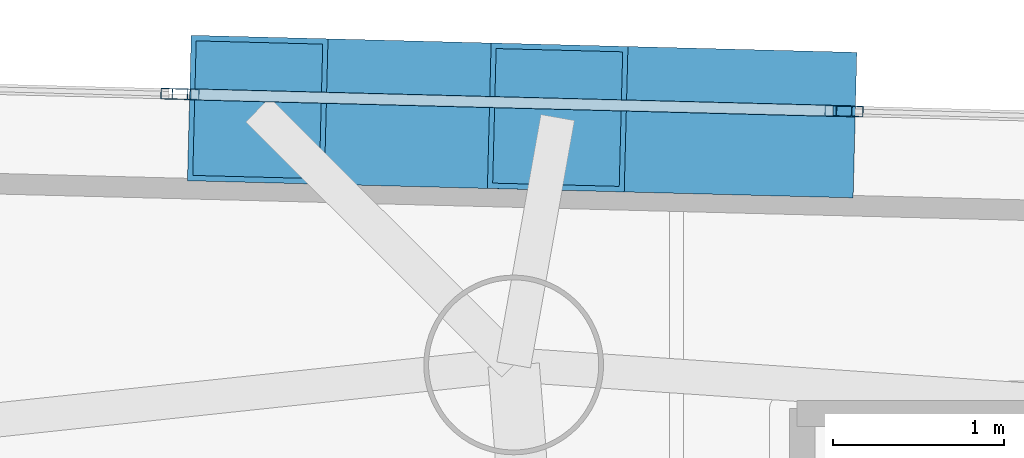
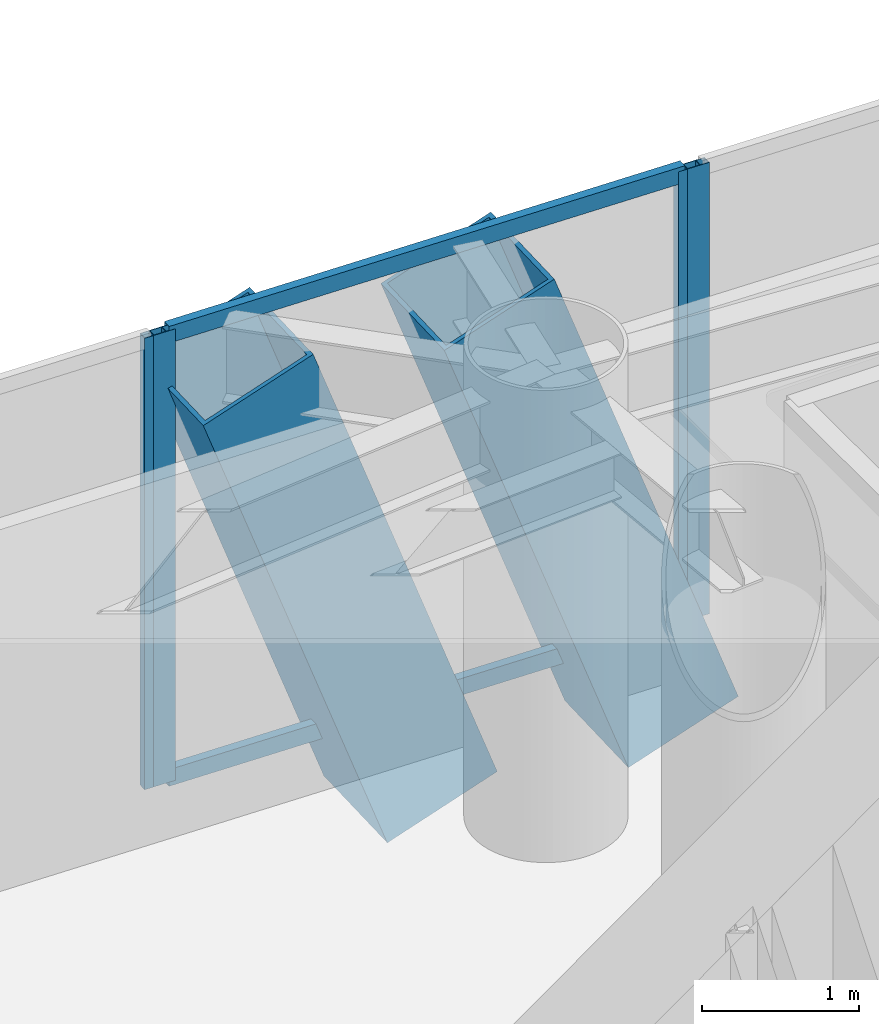
# One storey, part 11 of 21: 8 members, 3 elements without a shape of their own.
"""IFC4 building model written with IfcOpenShell, lengths in metres."""

import ifcopenshell
import ifcopenshell.guid

model = None  # the IFC model being written
_history = None  # IfcOwnerHistory: only IFC2X3 demands one
_inside = {}  # id of a spatial element -> (the spatial element, [elements in it])
_under = {}  # id of a project, library or spatial element -> (it, [spatial elements below it])
_declared = {}  # id of a project -> (the project, [libraries it declares])
_typed = {}  # id of a type object -> (the type object, [elements of that type])
_made_of = {}  # id of a material, layer set ... -> (it, [elements and type objects made of it])


def new_model(schema):
    """Start an empty IFC model of exactly this schema.

    Asked for "IFC4X3", IfcOpenShell would pick the latest addendum, in which some entities
    have other attributes; the version numbers below select the first issue.
    IFC2X3 requires an IfcOwnerHistory on every rooted entity: one is made here for all.
    """
    global model, _history
    if schema == "IFC4X3":
        model = ifcopenshell.file(schema_version=(4, 3, 0, 0))
    else:
        model = ifcopenshell.file(schema=schema)
    _inside.clear()
    _under.clear()
    _declared.clear()
    _typed.clear()
    _made_of.clear()
    _history = None
    if model.schema == "IFC2X3":
        org = make("IfcOrganization", Name="unknown")
        user = make(
            "IfcPersonAndOrganization",
            ThePerson=make("IfcPerson", FamilyName="unknown"),
            TheOrganization=org,
        )
        app = make(
            "IfcApplication",
            ApplicationDeveloper=org,
            Version="unknown",
            ApplicationFullName="unknown",
            ApplicationIdentifier="unknown",
        )
        _history = make(
            "IfcOwnerHistory",
            OwningUser=user,
            OwningApplication=app,
            ChangeAction="ADDED",
            CreationDate=0,
        )
    return model


def make(cls, **values):
    """One entity of the class cls with the attributes given. An attribute that is None is left unset."""
    return model.create_entity(
        cls, **{name: value for name, value in values.items() if value is not None}
    )


def rooted(cls, **values):
    """An entity with a GlobalId (a new one), such as an element, a storey or a relation."""
    return make(cls, GlobalId=ifcopenshell.guid.new(), OwnerHistory=_history, **values)


def si_unit(unit_type, name, prefix=None):
    """IfcSIUnit, for example si_unit("LENGTHUNIT", "METRE", prefix="MILLI")."""
    return make("IfcSIUnit", UnitType=unit_type, Prefix=prefix, Name=name)


def assignment(units):
    """IfcUnitAssignment: the units of a project."""
    return None if units is None else make("IfcUnitAssignment", Units=units)


def point(xyz):
    """IfcCartesianPoint."""
    return None if xyz is None else make("IfcCartesianPoint", Coordinates=xyz)


def direction(xyz):
    """IfcDirection."""
    return None if xyz is None else make("IfcDirection", DirectionRatios=xyz)


def frame(location, z_axis=None, x_axis=None):
    """IfcAxis2Placement3D, a coordinate frame: its origin and axes. An axis left out is left unset."""
    return make(
        "IfcAxis2Placement3D",
        Location=point(location),
        Axis=direction(z_axis),
        RefDirection=direction(x_axis),
    )


def frame_2d(location, x_axis=None):
    """IfcAxis2Placement2D, a coordinate frame in the plane: its origin and x axis."""
    return make(
        "IfcAxis2Placement2D", Location=point(location), RefDirection=direction(x_axis)
    )


def origin():
    """The frame at (0, 0, 0) with its axes left unset."""
    return frame((0.0, 0.0, 0.0))


def origin_2d():
    """The frame at (0, 0) in the plane with its x axis left unset."""
    return frame_2d((0.0, 0.0))


def place(relative_to, where):
    """IfcLocalPlacement: puts the frame where relative to a parent placement (None: the world)."""
    return make(
        "IfcLocalPlacement", PlacementRelTo=relative_to, RelativePlacement=where
    )


def context(
    kind, dimensions, precision=None, world=None, true_north=None, identifier=None
):
    """IfcGeometricRepresentationContext, for example the 3D "Model" context."""
    return make(
        "IfcGeometricRepresentationContext",
        ContextIdentifier=identifier,
        ContextType=kind,
        CoordinateSpaceDimension=dimensions,
        Precision=precision,
        WorldCoordinateSystem=world,
        TrueNorth=true_north,
    )


def subcontext(parent, identifier, kind, view, scale=None):
    """IfcGeometricRepresentationSubContext, for example "Body" below "Model"."""
    return make(
        "IfcGeometricRepresentationSubContext",
        ContextIdentifier=identifier,
        ContextType=kind,
        ParentContext=parent,
        TargetScale=scale,
        TargetView=view,
    )


def project(units=None, contexts=None):
    """IfcProject with its units and contexts."""
    return rooted(
        "IfcProject",
        Name="project",
        RepresentationContexts=contexts,
        UnitsInContext=assignment(units),
    )


def spatial(cls, under=None, at=None, **own):
    """A site, building, storey or space (cls), placed at a placement, below another one or the project."""
    s = rooted(cls, ObjectPlacement=at, **own)
    if under is not None:
        _under.setdefault(under.id(), (under, []))[1].append(s)
    return s


def profile(cls, at=None, kind="AREA", **sizes):
    """A parametric profile (cls). Its sizes go by their IFC names, for example OverallWidth=200.0."""
    return make(cls, ProfileType=kind, Position=at, **sizes)


def hollow_rectangle(**sizes):
    """IfcRectangleHollowProfileDef."""
    return profile("IfcRectangleHollowProfileDef", **sizes)


def extrude(swept, where, along, depth):
    """IfcExtrudedAreaSolid: the profile swept, set in the frame where, extruded along a direction by depth."""
    return make(
        "IfcExtrudedAreaSolid",
        SweptArea=swept,
        Position=where,
        ExtrudedDirection=direction(along),
        Depth=depth,
    )


def shape(context_of_items, identifier, shape_type, items):
    """IfcShapeRepresentation: the items that make up one representation, for example the "Body"."""
    return make(
        "IfcShapeRepresentation",
        ContextOfItems=context_of_items,
        RepresentationIdentifier=identifier,
        RepresentationType=shape_type,
        Items=items,
    )


def material(Name=None, Category=None):
    """IfcMaterial."""
    return make("IfcMaterial", Name=Name, Category=Category)


def layer(
    of_material, thickness, ventilated=None, Name=None, Category=None, Priority=None
):
    """IfcMaterialLayer: one layer of a wall or slab, of a material (None: an air gap)."""
    return make(
        "IfcMaterialLayer",
        Material=of_material,
        LayerThickness=thickness,
        IsVentilated=ventilated,
        Name=Name,
        Category=Category,
        Priority=Priority,
    )


def layer_set(layers, Name=None):
    """IfcMaterialLayerSet."""
    return make("IfcMaterialLayerSet", MaterialLayers=layers, LayerSetName=Name)


def material_profile(
    of_material, cross_section, Name=None, Category=None, Priority=None
):
    """IfcMaterialProfile: a cross section and its material."""
    return make(
        "IfcMaterialProfile",
        Name=Name,
        Material=of_material,
        Profile=cross_section,
        Priority=Priority,
        Category=Category,
    )


def profile_set(profiles, Name=None, composite=None):
    """IfcMaterialProfileSet."""
    return make(
        "IfcMaterialProfileSet",
        Name=Name,
        MaterialProfiles=profiles,
        CompositeProfile=composite,
    )


def made_of(thing, what):
    """Note that an element or type object is made of a material, layer set ...; save() writes the relation."""
    if what is not None:
        _made_of.setdefault(what.id(), (what, []))[1].append(thing)
    return thing


def type_object(cls, material=None, **own):
    """A type object (cls), such as IfcWallType, which elements share."""
    return made_of(rooted(cls, **own), material)


def element(
    cls,
    number,
    at=None,
    inside=None,
    cuts=None,
    type_object=None,
    material=None,
    context=None,
    identifier="Body",
    shape_type=None,
    held_by="IfcProductDefinitionShape",
    body=None,
    shapes=None,
    **own,
):
    """One element of the class cls, such as IfcWall. Its Tag is "e" and its number.

    at: its placement. inside: the storey or other place that contains it. cuts: it is an
    opening in that element (IfcRelVoidsElement). A single representation is given by context,
    identifier, shape_type and body (its items); several are given by shapes. held_by: the class
    of the entity that holds the representations. save() writes the other relations.
    """
    e = rooted(cls, Tag="e%d" % number, ObjectPlacement=at, **own)
    if body is not None:
        shapes = [shape(context, identifier, shape_type, body)]
    if shapes is not None:
        e.Representation = make(held_by, Representations=shapes)
    if inside is not None:
        _inside.setdefault(inside.id(), (inside, []))[1].append(e)
    if cuts is not None:
        rooted(
            "IfcRelVoidsElement", RelatingBuildingElement=cuts, RelatedOpeningElement=e
        )
    if type_object is not None:
        _typed.setdefault(type_object.id(), (type_object, []))[1].append(e)
    return made_of(e, material)


def aggregate(whole, parts):
    """IfcRelAggregates: a whole, such as a stair, and the parts it consists of."""
    return rooted("IfcRelAggregates", RelatingObject=whole, RelatedObjects=parts)


def save(model, path):
    """Write the relations noted so far, then the file.

    IfcRelAggregates (storeys below a building ...), IfcRelContainedInSpatialStructure (elements
    in a storey), IfcRelDefinesByType, IfcRelAssociatesMaterial and IfcRelDeclares: one each for
    every whole, place, type object, material and project.
    """
    for whole, parts in _under.values():
        aggregate(whole, parts)
    for where, things in _inside.values():
        rooted(
            "IfcRelContainedInSpatialStructure",
            RelatedElements=things,
            RelatingStructure=where,
        )
    for kind, things in _typed.values():
        rooted("IfcRelDefinesByType", RelatedObjects=things, RelatingType=kind)
    for what, things in _made_of.values():
        rooted("IfcRelAssociatesMaterial", RelatedObjects=things, RelatingMaterial=what)
    for by, libraries in _declared.values():
        rooted("IfcRelDeclares", RelatingContext=by, RelatedDefinitions=libraries)
    model.write(path)


model = new_model("IFC4")

# Units and contexts
model_context = context("Model", 3, precision=1e-05, world=origin(), true_north=direction((0.0, 1.0)))
body_context = subcontext(model_context, "Body", "Model", "MODEL_VIEW")
ifc_project = project(units=[si_unit("LENGTHUNIT", "METRE"), si_unit("AREAUNIT", "SQUARE_METRE"), si_unit("VOLUMEUNIT", "CUBIC_METRE"), si_unit("PLANEANGLEUNIT", "RADIAN"), si_unit("MASSUNIT", "GRAM", prefix="KILO")], contexts=[model_context])

# Site, building, storey
site_placement = place(None, origin())
site = spatial("IfcSite", under=ifc_project, at=site_placement, CompositionType="ELEMENT")
building_placement = place(site_placement, origin())
building = spatial("IfcBuilding", under=site, at=building_placement, Name="Qianvela Tower", CompositionType="ELEMENT")
storey_placement = place(building_placement, frame((0.0, 0.0, 246.39990234375)))
storey = spatial("IfcBuildingStorey", under=building, at=storey_placement, Name="L63", CompositionType="ELEMENT", Elevation=246.39990234375)

# Curtain wall, members
ifc_material_1 = material(Name="Anodised Architectural Aluminium and Insulated Spandrel Panel", Category="aluminium")
ifc_layer_1 = layer(ifc_material_1, 0.179931640625)
ifc_layer_set_1 = layer_set([ifc_layer_1], Name="Anodised Architectural Aluminium and Insulated Spandrel Panel")
curtain_wall_type_1 = type_object("IfcCurtainWallType", Name="CW-BRACEBAY", PredefinedType="USERDEFINED", material=ifc_layer_set_1)
curtain_wall_1_placement = place(storey_placement, origin())
curtain_wall_1 = element("IfcCurtainWall", 1, at=curtain_wall_1_placement, inside=storey, type_object=curtain_wall_type_1, Name="L63 CW-BRACEBAY Curtain Wall 02B", ObjectType="CURTAIN_WALL_SYSTEM", PredefinedType="USERDEFINED")
ifc_material_2 = material(Name="Anodised Architectural Aluminium 6063-T6", Category="aluminium")
ifc_material_profile_1 = material_profile(ifc_material_2, hollow_rectangle(XDim=0.06494140625, YDim=0.159912109375, WallThickness=0.0048828125, at=origin_2d()), Name="ALU-MULL-65x160")
ifc_profile_set_1 = profile_set([ifc_material_profile_1], Name="Anodised Architectural Aluminium 6063-T6")
member_type_1 = type_object("IfcMemberType", Name="CW-BRACEBAY-MULL", PredefinedType="MULLION", material=ifc_profile_set_1)
member_1_placement = place(storey_placement, frame((40.122314453125, 37.25634765625, 0.0), z_axis=(0.0, 0.0, 1.0), x_axis=(-0.025696001077, -0.999669803249, 0.0)))
member_1 = element("IfcMember", 2, at=member_1_placement, type_object=member_type_1, Name="CW-9 mullion 1", PredefinedType="MULLION", context=body_context, shape_type="SweptSolid", body=[
    extrude(hollow_rectangle(XDim=0.06494140625, YDim=0.159912109375, WallThickness=0.0048828125, at=origin_2d()), origin(), (0.0, 0.0, 1.0), 3.52001953125),
])
member_2_placement = place(storey_placement, frame((36.30859375, 37.354248046875, 0.0), z_axis=(0.0, 0.0, 1.0), x_axis=(-0.025696001077, -0.999669803249, 0.0)))
member_2 = element("IfcMember", 3, at=member_2_placement, type_object=member_type_1, Name="CW-9 mullion 2", PredefinedType="MULLION", context=body_context, shape_type="SweptSolid", body=[
    extrude(hollow_rectangle(XDim=0.06494140625, YDim=0.159912109375, WallThickness=0.0048828125, at=origin_2d()), origin(), (0.0, 0.0, 1.0), 3.52001953125),
])
ifc_material_3 = material(Name="Anodised Architectural Aluminium 6063-T6", Category="aluminium")
ifc_material_profile_2 = material_profile(ifc_material_3, hollow_rectangle(XDim=0.06494140625, YDim=0.1298828125, WallThickness=0.00439453125, at=origin_2d()), Name="ALU-TRAN-65x130")
ifc_profile_set_2 = profile_set([ifc_material_profile_2], Name="Anodised Architectural Aluminium 6063-T6")
member_type_2 = type_object("IfcMemberType", Name="CW-BRACEBAY-TRAN", PredefinedType="USERDEFINED", material=ifc_profile_set_2)
member_3_placement = place(storey_placement, frame((40.089599609375, 37.257080078125, 0.03271484375), z_axis=(-0.999669245612, 0.025717686076, 0.0), x_axis=(-0.025717686076, -0.999669245612, 0.0)))
member_3 = element("IfcMember", 4, at=member_3_placement, type_object=member_type_2, Name="CW-9 transom 1.1", ObjectType="TRANSOM", PredefinedType="USERDEFINED", context=body_context, shape_type="SweptSolid", body=[
    extrude(hollow_rectangle(XDim=0.06494140625, YDim=0.1298828125, WallThickness=0.00439453125, at=origin_2d()), origin(), (0.0, 0.0, 1.0), 3.749755859375),
])
member_4_placement = place(storey_placement, frame((40.089599609375, 37.257080078125, 3.487548828125), z_axis=(-0.999669245612, 0.025717686076, 0.0), x_axis=(-0.025717686076, -0.999669245612, 0.0)))
member_4 = element("IfcMember", 5, at=member_4_placement, type_object=member_type_2, Name="CW-9 transom 1.2", ObjectType="TRANSOM", PredefinedType="USERDEFINED", context=body_context, shape_type="SweptSolid", body=[
    extrude(hollow_rectangle(XDim=0.06494140625, YDim=0.1298828125, WallThickness=0.00439453125, at=origin_2d()), origin(), (0.0, 0.0, 1.0), 3.749755859375),
])
aggregate(curtain_wall_1, [member_1, member_2, member_3, member_4])

# Curtain wall, member
ifc_material_4 = material(Name="Anodised Architectural Aluminium and Low-E Glass", Category="aluminium")
ifc_layer_2 = layer(ifc_material_4, 0.159912109375)
ifc_layer_set_2 = layer_set([ifc_layer_2], Name="Anodised Architectural Aluminium and Low-E Glass")
curtain_wall_type_2 = type_object("IfcCurtainWallType", Name="CW-COLIV-Z56", PredefinedType="USERDEFINED", material=ifc_layer_set_2)
curtain_wall_2_placement = place(storey_placement, origin())
curtain_wall_2 = element("IfcCurtainWall", 6, at=curtain_wall_2_placement, inside=storey, type_object=curtain_wall_type_2, Name="L63 CW-COLIV-Z56 Curtain Wall 02A", ObjectType="CURTAIN_WALL_SYSTEM", PredefinedType="USERDEFINED")
ifc_material_5 = material(Name="Anodised Architectural Aluminium 6063-T6", Category="aluminium")
ifc_material_profile_3 = material_profile(ifc_material_5, hollow_rectangle(XDim=0.06494140625, YDim=0.159912109375, WallThickness=0.0048828125, at=origin_2d()), Name="ALU-MULL-65x160")
ifc_profile_set_3 = profile_set([ifc_material_profile_3], Name="Anodised Architectural Aluminium 6063-T6")
member_type_3 = type_object("IfcMemberType", Name="CW-COLIV-Z56-MULL", PredefinedType="MULLION", material=ifc_profile_set_3)
member_5_placement = place(storey_placement, frame((40.187255859375, 37.254638671875, 0.0), z_axis=(0.0, 0.0, 1.0), x_axis=(-0.025707553905, -0.999669506223, 0.0)))
member_5 = element("IfcMember", 7, at=member_5_placement, type_object=member_type_3, Name="CW-5 mullion 3", PredefinedType="MULLION", context=body_context, shape_type="SweptSolid", body=[
    extrude(hollow_rectangle(XDim=0.06494140625, YDim=0.159912109375, WallThickness=0.0048828125, at=origin_2d()), origin(), (0.0, 0.0, 1.0), 3.52001953125),
])
aggregate(curtain_wall_2, [member_5])

curtain_wall_3_placement = place(storey_placement, origin())
curtain_wall_3 = element("IfcCurtainWall", 8, at=curtain_wall_3_placement, inside=storey, type_object=curtain_wall_type_2, Name="L63 CW-COLIV-Z56 Curtain Wall 02C", ObjectType="CURTAIN_WALL_SYSTEM", PredefinedType="USERDEFINED")
member_6_placement = place(storey_placement, frame((36.243408203125, 37.35595703125, 0.0), z_axis=(0.0, 0.0, 1.0), x_axis=(-0.025705457951, -0.999669560121, 0.0)))
member_6 = element("IfcMember", 9, at=member_6_placement, type_object=member_type_3, Name="CW-5 mullion 1", PredefinedType="MULLION", context=body_context, shape_type="SweptSolid", body=[
    extrude(hollow_rectangle(XDim=0.06494140625, YDim=0.159912109375, WallThickness=0.0048828125, at=origin_2d()), origin(), (0.0, 0.0, 1.0), 3.52001953125),
])
aggregate(curtain_wall_3, [member_6])

# Members
ifc_material_6 = material(Name="Steel Q420GJC", Category="steel")
ifc_material_profile_4 = material_profile(ifc_material_6, hollow_rectangle(XDim=0.85009765625, YDim=0.85009765625, WallThickness=0.031982421875, at=origin_2d()), Name="MBOX-850x850x32")
ifc_profile_set_4 = profile_set([ifc_material_profile_4], Name="Steel Q420GJC")
member_type_4 = type_object("IfcMemberType", Name="MBR-MBRACE-850", PredefinedType="BRACE", material=ifc_profile_set_4)
for number, where, z_axis, x_axis, name in (
    (10, (39.819091796875, 37.18408203125, -0.48193359375), (-0.339815970032, 0.00874982684, 0.940451246499), (-0.025740190278, -0.999668666411, 0.0), "L63 Tier 10 Exterior Mega-Brace F1A"),
    (11, (38.0673828125, 37.22900390625, -0.48193359375), (-0.339870857952, 0.008749642317, 0.940431413594), (-0.025735493703, -0.999668787331, 0.0), "L63 Tier 10 Exterior Mega-Brace F1B"),
):
    element("IfcMember", number, at=place(storey_placement, frame(where, z_axis=z_axis, x_axis=x_axis)), inside=storey, type_object=member_type_4, Name=name, PredefinedType="BRACE", context=body_context, shape_type="SweptSolid", body=[
        extrude(hollow_rectangle(XDim=0.85009765625, YDim=0.85009765625, WallThickness=0.031982421875, at=origin_2d()), origin(), (0.0, 0.0, 1.0), 3.934326171875),
    ])

save(model, "model.ifc")
